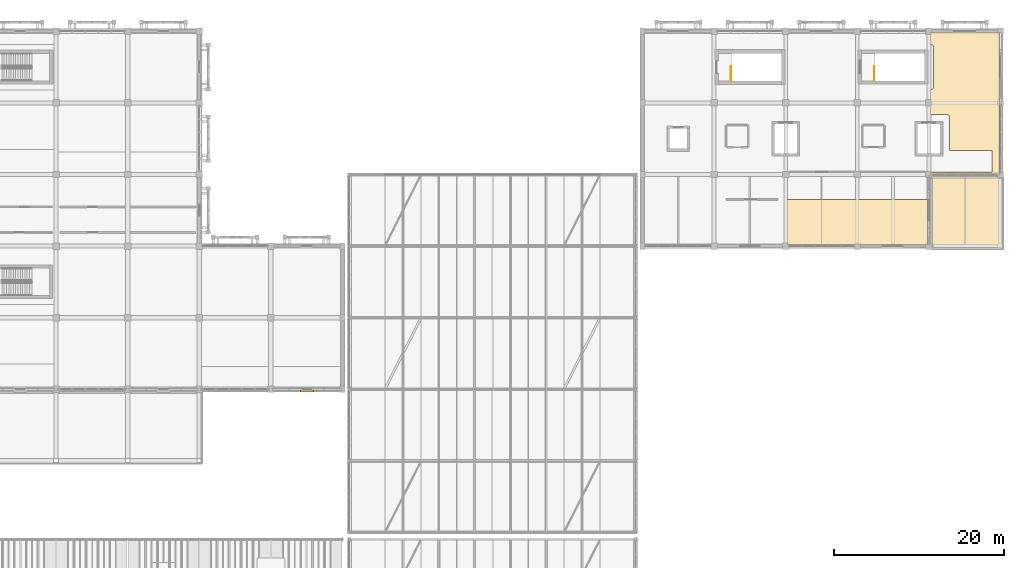
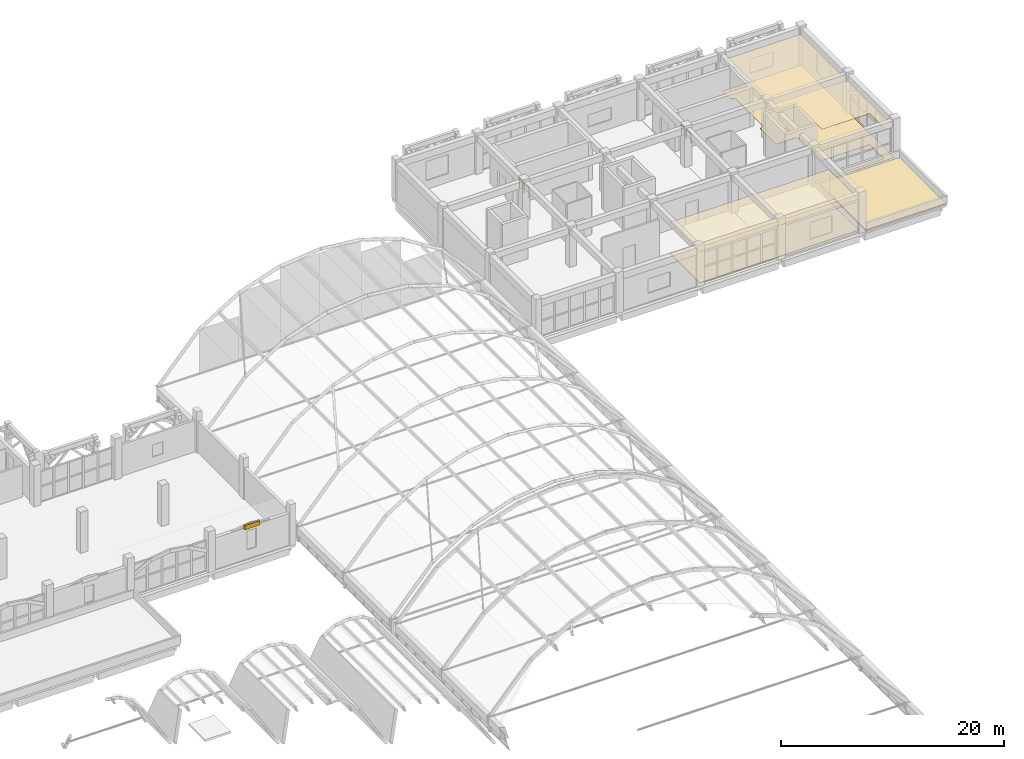
# One storey, part 113 of 114: 5 coverings, 2 railings, 1 shading device.
"""IFC4 building model written with IfcOpenShell, lengths in metres."""

from ifc_helpers import new_model, si_unit, direction, frame, origin, origin_2d, place, context, subcontext, project, spatial, polyline, rectangle, circle, outline, extrude, material, layer, layer_set, type_object, element, save


model = new_model("IFC4")

# Units and contexts
model_context = context("Model", 3, precision=1e-05, world=origin(), true_north=direction((0.0, 1.0)))
body_context = subcontext(model_context, "Body", "Model", "MODEL_VIEW")
ifc_project = project(units=[si_unit("LENGTHUNIT", "METRE"), si_unit("AREAUNIT", "SQUARE_METRE"), si_unit("VOLUMEUNIT", "CUBIC_METRE"), si_unit("PLANEANGLEUNIT", "RADIAN"), si_unit("MASSUNIT", "GRAM", prefix="KILO")], contexts=[model_context])

# Site, building, storey
site_placement = place(None, origin())
site = spatial("IfcSite", under=ifc_project, at=site_placement, CompositionType="ELEMENT")
building_placement = place(site_placement, origin())
building = spatial("IfcBuilding", under=site, at=building_placement, Name="Xazarin Passage Department Store", CompositionType="ELEMENT")
storey_placement = place(building_placement, frame((0.0, 0.0, 14.39990234375)))
storey = spatial("IfcBuildingStorey", under=building, at=storey_placement, Name="L03", CompositionType="ELEMENT", Elevation=14.39990234375)

# Coverings
ifc_material_1 = material(Name="Acoustic mineral ceiling")
ifc_layer_1 = layer(ifc_material_1, 0.030029296875)
ifc_layer_set_1 = layer_set([ifc_layer_1], Name="Acoustic mineral ceiling")
covering_type_1 = type_object("IfcCoveringType", Name="ARC-COV-CLG030", PredefinedType="CEILING", material=ifc_layer_set_1)
covering_1_placement = place(storey_placement, frame((0.0, 0.0, 3.41015625)))
element("IfcCovering", 1, at=covering_1_placement, inside=storey, type_object=covering_type_1, Name="L03 Textile Archive Room Acoustic Ceiling", PredefinedType="CEILING", context=body_context, shape_type="SweptSolid", body=[
    extrude(outline(polyline([(136.14990234375, 108.469970703125), (136.189208984375, 108.468017578125), (136.22802734375, 108.46240234375), (136.26611328125, 108.452880859375), (136.302978515625, 108.439697265625), (136.338623046875, 108.4228515625), (136.372314453125, 108.402587890625), (136.40380859375, 108.379150390625), (136.432861328125, 108.352783203125), (136.459228515625, 108.32373046875), (136.482666015625, 108.292236328125), (136.502685546875, 108.258544921875), (136.51953125, 108.22314453125), (136.53271484375, 108.18603515625), (136.542236328125, 108.14794921875), (136.548095703125, 108.109130859375), (136.550048828125, 108.070068359375), (136.550048828125, 103.530029296875), (136.548095703125, 103.49072265625), (136.542236328125, 103.451904296875), (136.53271484375, 103.413818359375), (136.51953125, 103.376953125), (136.502685546875, 103.34130859375), (136.482666015625, 103.307861328125), (136.459228515625, 103.276123046875), (136.432861328125, 103.247314453125), (136.40380859375, 103.220703125), (136.372314453125, 103.197509765625), (136.338623046875, 103.17724609375), (136.302978515625, 103.160400390625), (136.26611328125, 103.147216796875), (136.22802734375, 103.1376953125), (136.189208984375, 103.1318359375), (136.14990234375, 103.1298828125), (136.14990234375, 100.25), (138.050048828125, 100.25), (138.089111328125, 100.248046875), (138.1279296875, 100.2421875), (138.166015625, 100.23291015625), (138.203125, 100.219482421875), (138.238525390625, 100.202880859375), (138.272216796875, 100.1826171875), (138.3037109375, 100.1591796875), (138.332763671875, 100.1328125), (138.359130859375, 100.103759765625), (138.382568359375, 100.072265625), (138.40283203125, 100.03857421875), (138.419677734375, 100.003173828125), (138.432861328125, 99.966064453125), (138.4423828125, 99.927978515625), (138.447998046875, 99.88916015625), (138.449951171875, 99.85009765625), (138.449951171875, 96.0), (143.39990234375, 96.0), (143.39990234375, 93.5), (136.14990234375, 93.5), (136.14990234375, 93.099609375), (136.1611328125, 93.10791015625), (136.18212890625, 93.12060546875), (136.204345703125, 93.131103515625), (136.227294921875, 93.13916015625), (136.251220703125, 93.145263671875), (136.275390625, 93.148681640625), (136.300048828125, 93.14990234375), (144.300048828125, 93.14990234375), (144.300048828125, 109.89990234375), (136.14990234375, 109.89990234375), (136.14990234375, 108.469970703125)])), origin(), (0.0, 0.0, 1.0), 0.030029296875),
])
ifc_layer_2 = layer(ifc_material_1, 0.0400390625)
ifc_layer_set_2 = layer_set([ifc_layer_2], Name="Acoustic mineral ceiling")
covering_type_2 = type_object("IfcCoveringType", Name="ARC-COV-CLG040", PredefinedType="CEILING", material=ifc_layer_set_2)
covering_2_placement = place(storey_placement, frame((0.0, 0.0, 3.400146484375)))
element("IfcCovering", 2, at=covering_2_placement, inside=storey, type_object=covering_type_2, Name="L03 Staff Training Room Acoustic Ceiling", PredefinedType="CEILING", context=body_context, shape_type="SweptSolid", body=[
    extrude(outline(polyline([(119.35009765625, 84.89990234375), (135.85009765625, 84.89990234375), (135.85009765625, 90.25), (119.35009765625, 90.25), (119.35009765625, 84.89990234375)])), origin(), (0.0, 0.0, 1.0), 0.0400390625),
])
ifc_material_2 = material(Name="Terrazzo stone flooring", Category="masonry")
ifc_layer_3 = layer(ifc_material_2, 0.02490234375)
ifc_layer_set_3 = layer_set([ifc_layer_3], Name="Terrazzo stone flooring")
covering_type_3 = type_object("IfcCoveringType", Name="ARC-COV-FLR025", PredefinedType="FLOORING", material=ifc_layer_set_3)
covering_3_placement = place(storey_placement, origin())
element("IfcCovering", 3, at=covering_3_placement, inside=storey, type_object=covering_type_3, Name="L03 Textile Archive Room Terrazzo Flooring", PredefinedType="FLOORING", context=body_context, shape_type="SweptSolid", body=[
    extrude(outline(polyline([(136.14990234375, 108.469970703125), (136.189208984375, 108.468017578125), (136.22802734375, 108.46240234375), (136.26611328125, 108.452880859375), (136.302978515625, 108.439697265625), (136.338623046875, 108.4228515625), (136.372314453125, 108.402587890625), (136.40380859375, 108.379150390625), (136.432861328125, 108.352783203125), (136.459228515625, 108.32373046875), (136.482666015625, 108.292236328125), (136.502685546875, 108.258544921875), (136.51953125, 108.22314453125), (136.53271484375, 108.18603515625), (136.542236328125, 108.14794921875), (136.548095703125, 108.109130859375), (136.550048828125, 108.070068359375), (136.550048828125, 103.530029296875), (136.548095703125, 103.49072265625), (136.542236328125, 103.451904296875), (136.53271484375, 103.413818359375), (136.51953125, 103.376953125), (136.502685546875, 103.34130859375), (136.482666015625, 103.307861328125), (136.459228515625, 103.276123046875), (136.432861328125, 103.247314453125), (136.40380859375, 103.220703125), (136.372314453125, 103.197509765625), (136.338623046875, 103.17724609375), (136.302978515625, 103.160400390625), (136.26611328125, 103.147216796875), (136.22802734375, 103.1376953125), (136.189208984375, 103.1318359375), (136.14990234375, 103.1298828125), (136.14990234375, 100.25), (138.050048828125, 100.25), (138.089111328125, 100.248046875), (138.1279296875, 100.2421875), (138.166015625, 100.23291015625), (138.203125, 100.219482421875), (138.238525390625, 100.202880859375), (138.272216796875, 100.1826171875), (138.3037109375, 100.1591796875), (138.332763671875, 100.1328125), (138.359130859375, 100.103759765625), (138.382568359375, 100.072265625), (138.40283203125, 100.03857421875), (138.419677734375, 100.003173828125), (138.432861328125, 99.966064453125), (138.4423828125, 99.927978515625), (138.447998046875, 99.88916015625), (138.449951171875, 99.85009765625), (138.449951171875, 96.0), (143.39990234375, 96.0), (143.39990234375, 93.5), (136.14990234375, 93.5), (136.14990234375, 93.099609375), (136.1611328125, 93.10791015625), (136.18212890625, 93.12060546875), (136.204345703125, 93.131103515625), (136.227294921875, 93.13916015625), (136.251220703125, 93.145263671875), (136.275390625, 93.148681640625), (136.300048828125, 93.14990234375), (144.300048828125, 93.14990234375), (144.300048828125, 109.89990234375), (136.14990234375, 109.89990234375), (136.14990234375, 108.469970703125)])), origin(), (0.0, 0.0, 1.0), 0.025146484375),
])
ifc_layer_4 = layer(ifc_material_2, 0.034912109375)
ifc_layer_set_4 = layer_set([ifc_layer_4], Name="Terrazzo stone flooring")
covering_type_4 = type_object("IfcCoveringType", Name="ARC-COV-FLR035", PredefinedType="FLOORING", material=ifc_layer_set_4)
covering_4_placement = place(storey_placement, origin())
element("IfcCovering", 4, at=covering_4_placement, inside=storey, type_object=covering_type_4, Name="L03 Staff Training Room Terrazzo Flooring", PredefinedType="FLOORING", context=body_context, shape_type="SweptSolid", body=[
    extrude(outline(polyline([(119.35009765625, 84.89990234375), (135.85009765625, 84.89990234375), (135.85009765625, 90.25), (119.35009765625, 90.25), (119.35009765625, 84.89990234375)])), origin(), (0.0, 0.0, 1.0), 0.03515625),
])
ifc_material_3 = material(Name="Insulated waterproof roofing membrane")
ifc_layer_5 = layer(ifc_material_3, 0.1201171875)
ifc_layer_set_5 = layer_set([ifc_layer_5], Name="Insulated waterproof roofing membrane")
covering_type_5 = type_object("IfcCoveringType", Name="ARC-COV-RFG120", PredefinedType="ROOFING", material=ifc_layer_set_5)
covering_5_placement = place(storey_placement, origin())
element("IfcCovering", 5, at=covering_5_placement, inside=storey, type_object=covering_type_5, Name="L03 Insulated Roofing Membrane SLB-V4-L03-STEP-1", PredefinedType="ROOFING", context=body_context, shape_type="SweptSolid", body=[
    extrude(outline(polyline([(144.699951171875, 92.85009765625), (136.35009765625, 92.85009765625), (136.35009765625, 84.5), (144.699951171875, 84.5), (144.699951171875, 92.85009765625)])), origin(), (0.0, 0.0, 1.0), 0.1201171875),
])

# Railings
ifc_material_4 = material(Name="Steel S355", Category="steel")
railing_type = type_object("IfcRailingType", Name="ARC-RL-GRD112", PredefinedType="GUARDRAIL", material=ifc_material_4)
for number, where, name in (
    (6, (112.7900390625, 104.179931640625, 0.0), "L03 ST10 top well guard 1"),
    (7, (129.590087890625, 104.179931640625, 0.0), "L03 ST11 top well guard 1"),
):
    element("IfcRailing", number, at=place(storey_placement, frame(where)), inside=storey, type_object=railing_type, Name=name, PredefinedType="GUARDRAIL", context=body_context, shape_type="SweptSolid", body=[
        extrude(circle(Radius=0.02392578125, at=origin_2d()), frame((0.0, 0.0, 1.076171875), z_axis=(0.0, 1.0, 0.0), x_axis=(-1.0, 0.0, 0.0)), (0.0, 0.0, 1.0), 1.719970703125),
        extrude(circle(Radius=0.02099609375, at=origin_2d()), origin(), (0.0, 0.0, 1.0), 1.0517578125),
        extrude(circle(Radius=0.02099609375, at=origin_2d()), frame((0.0, 0.85986328125, 0.0)), (0.0, 0.0, 1.0), 1.0517578125),
        extrude(circle(Radius=0.02099609375, at=origin_2d()), frame((0.0, 1.719970703125, 0.0)), (0.0, 0.0, 1.0), 1.0517578125),
    ])

# Shading device
ifc_material_5 = material(Name="Bronze anodised aluminium", Category="aluminium")
ifc_layer_6 = layer(ifc_material_5, 0.080078125)
ifc_layer_set_6 = layer_set([ifc_layer_6], Name="Bronze anodised aluminium")
shading_device_type = type_object("IfcShadingDeviceType", Name="ARC-SHD-LVR", PredefinedType="JALOUSIE", material=ifc_layer_set_6)
shading_device_placement = place(storey_placement, frame((63.03759765625, 67.800048828125, 3.375), z_axis=(0.0, 0.0, 1.0), x_axis=(1.0, 0.0, 0.0)))
element("IfcShadingDevice", 8, at=shading_device_placement, inside=storey, type_object=shading_device_type, Name="L03 V1 Sun Shading Louvre 04", PredefinedType="JALOUSIE", context=body_context, shape_type="SweptSolid", body=[
    extrude(rectangle(XDim=1.60009765625, YDim=0.239990234375, at=origin_2d()), origin(), (0.0, 0.0, 1.0), 0.449951171875),
])

save(model, "model.ifc")
